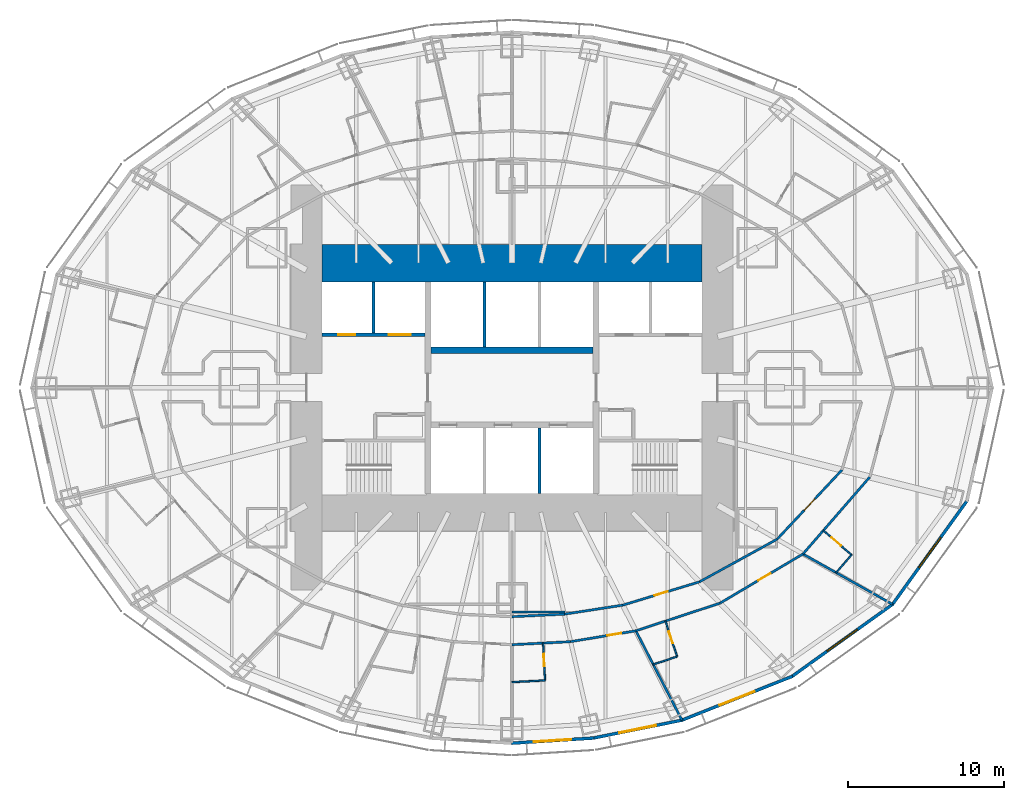
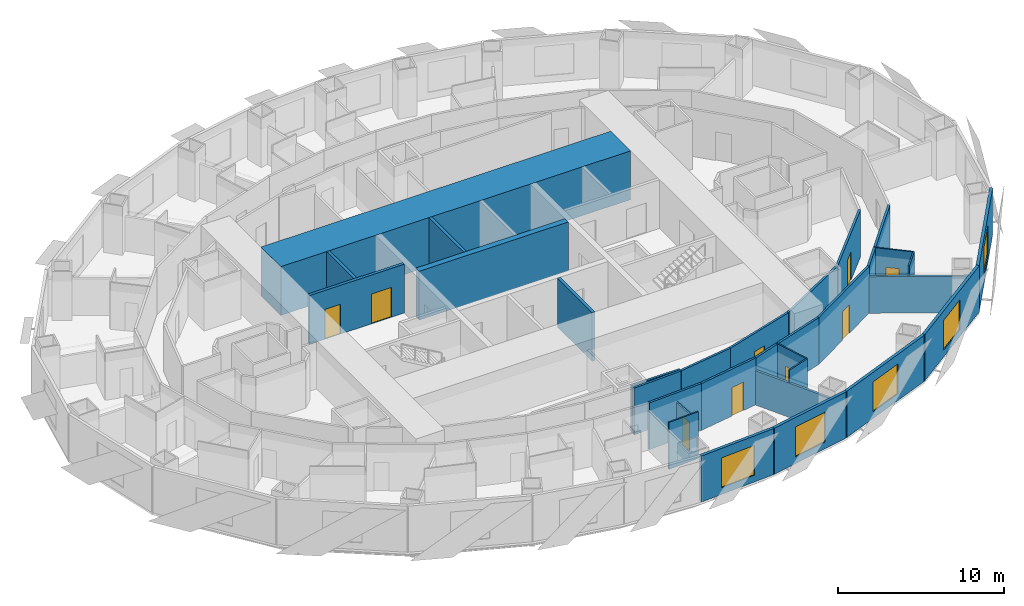
# One storey, part 7 of 15: 30 walls, 9 doors, 5 windows, 14 openings.
"""IFC4 building model written with IfcOpenShell, lengths in metres."""

from ifc_helpers import new_model, si_unit, direction, frame, frame_2d, origin, place, context, subcontext, project, spatial, rectangle, extrude, material, layer, layer_set, type_object, element, fill, save


model = new_model("IFC4")

# Units and contexts
model_context = context("Model", 3, precision=1e-05, world=origin(), true_north=direction((0.0, 1.0)))
body_context = subcontext(model_context, "Body", "Model", "MODEL_VIEW")
ifc_project = project(units=[si_unit("LENGTHUNIT", "METRE"), si_unit("AREAUNIT", "SQUARE_METRE"), si_unit("VOLUMEUNIT", "CUBIC_METRE"), si_unit("PLANEANGLEUNIT", "RADIAN"), si_unit("MASSUNIT", "GRAM", prefix="KILO")], contexts=[model_context])

# Site, building, storey
site_placement = place(None, origin())
site = spatial("IfcSite", under=ifc_project, at=site_placement, CompositionType="ELEMENT")
building_placement = place(site_placement, origin())
building = spatial("IfcBuilding", under=site, at=building_placement, Name="Lantaw Convention Tower", CompositionType="ELEMENT")
storey_placement = place(building_placement, frame((0.0, 0.0, 65.800048828125)))
storey = spatial("IfcBuildingStorey", under=building, at=storey_placement, Name="L14", CompositionType="ELEMENT", Elevation=65.800048828125)

# Wall
ifc_material_1 = material(Name="Gypsum board on steel studs", Category="steel")
ifc_layer_1 = layer(ifc_material_1, 0.14990234375)
ifc_layer_set_1 = layer_set([ifc_layer_1], Name="Back of house wall 150")
wall_type_1 = type_object("IfcWallType", Name="Back of house wall 150", PredefinedType="PARTITIONING", material=ifc_layer_set_1)
wall_1_placement = place(storey_placement, frame((0.0, -14.39990234375, 0.0), z_axis=(0.0, 0.0, 1.0), x_axis=(1.0, 0.0, 0.0)))
element("IfcWall", 1, at=wall_1_placement, inside=storey, type_object=wall_type_1, Name="Back of house wall 150", PredefinedType="PARTITIONING", context=body_context, shape_type="SweptSolid", body=[
    extrude(rectangle(XDim=3.401123046875, YDim=0.14990234375, at=frame_2d((1.70068359375, 0.0))), origin(), (0.0, 0.0, 1.0), 3.449951171875),
])

# Wall, opening, door
ifc_material_2 = material(Name="Moisture resistant gypsum board on steel studs", Category="steel")
ifc_layer_2 = layer(ifc_material_2, 0.10009765625)
ifc_layer_set_2 = layer_set([ifc_layer_2], Name="Bathroom wall 100")
wall_type_2 = type_object("IfcWallType", Name="Bathroom wall 100", PredefinedType="PARTITIONING", material=ifc_layer_set_2)
wall_2_placement = place(storey_placement, frame((1.997314453125, -16.39599609375, 0.0), z_axis=(0.0, 0.0, 1.0), x_axis=(0.051982187452, -0.998648012158, 0.0)))
wall_2 = element("IfcWall", 2, at=wall_2_placement, inside=storey, type_object=wall_type_2, Name="Bathroom wall 100", PredefinedType="PARTITIONING", context=body_context, shape_type="SweptSolid", body=[
    extrude(rectangle(XDim=2.39990234375, YDim=0.10009765625, at=frame_2d((1.199951171875, 0.0))), origin(), (0.0, 0.0, 1.0), 2.7490234375),
])
opening_1_placement = place(wall_2_placement, frame((0.699951171875, 0.0, 0.0)))
opening_1 = element("IfcOpeningElement", 3, at=opening_1_placement, cuts=wall_2, Name="Opening L14.56", PredefinedType="OPENING", context=body_context, shape_type="SweptSolid", body=[
    extrude(rectangle(XDim=0.800048828125, YDim=2.10009765625, at=frame_2d((0.39990234375, 1.050048828125))), frame((0.0, 0.06005859375, 0.0), z_axis=(0.0, -1.0, 0.0), x_axis=(1.0, 0.0, 0.0)), (0.0, 0.0, 1.0), 0.1201171875),
])
ifc_material_3 = material(Name="Timber", Category="wood")
door_type_1 = type_object("IfcDoorType", Name="Bathroom door 800", OperationType="SINGLE_SWING_LEFT", PredefinedType="DOOR", material=ifc_material_3)
door_1_placement = place(opening_1_placement, origin())
door_1 = element("IfcDoor", 4, at=door_1_placement, inside=storey, type_object=door_type_1, Name="Bathroom door", OperationType="SINGLE_SWING_LEFT", OverallHeight=2.10009765625, OverallWidth=0.800048828125, PredefinedType="DOOR", context=body_context, shape_type="SweptSolid", body=[
    extrude(rectangle(XDim=0.800048828125, YDim=2.10009765625, at=frame_2d((0.39990234375, 1.050048828125))), frame((0.0, 0.02490234375, 0.0), z_axis=(0.0, -1.0, 0.0), x_axis=(1.0, 0.0, 0.0)), (0.0, 0.0, 1.0), 0.050048828125),
])
fill(opening_1, door_1)

# Wall
wall_3_placement = place(storey_placement, frame((2.1220703125, -18.792724609375, 0.0), z_axis=(0.0, 0.0, 1.0), x_axis=(-0.998644675281, -0.052046253785, 0.0)))
element("IfcWall", 5, at=wall_3_placement, inside=storey, type_object=wall_type_2, Name="Bathroom wall 100", PredefinedType="PARTITIONING", context=body_context, shape_type="SweptSolid", body=[
    extrude(rectangle(XDim=2.125, YDim=0.10009765625, at=frame_2d((1.0625, 0.0))), origin(), (0.0, 0.0, 1.0), 3.449951171875),
])

# Wall, opening, door
wall_4_placement = place(storey_placement, frame((9.852294921875, -14.98291015625, 0.0), z_axis=(0.0, 0.0, 1.0), x_axis=(0.311890952591, -0.950117905153, 0.0)))
wall_4 = element("IfcWall", 6, at=wall_4_placement, inside=storey, type_object=wall_type_2, Name="Bathroom wall 100", PredefinedType="PARTITIONING", context=body_context, shape_type="SweptSolid", body=[
    extrude(rectangle(XDim=2.39990234375, YDim=0.10009765625, at=frame_2d((1.199951171875, 0.0))), origin(), (0.0, 0.0, 1.0), 3.449951171875),
])
opening_2_placement = place(wall_4_placement, frame((0.699951171875, 0.0, 0.0)))
opening_2 = element("IfcOpeningElement", 7, at=opening_2_placement, cuts=wall_4, Name="Opening L14.58", PredefinedType="OPENING", context=body_context, shape_type="SweptSolid", body=[
    extrude(rectangle(XDim=0.800048828125, YDim=2.10009765625, at=frame_2d((0.39990234375, 1.050048828125))), frame((0.0, 0.06005859375, 0.0), z_axis=(0.0, -1.0, 0.0), x_axis=(1.0, 0.0, 0.0)), (0.0, 0.0, 1.0), 0.1201171875),
])
door_2_placement = place(opening_2_placement, origin())
door_2 = element("IfcDoor", 8, at=door_2_placement, inside=storey, type_object=door_type_1, Name="Bathroom door", OperationType="SINGLE_SWING_LEFT", OverallHeight=2.10009765625, OverallWidth=0.800048828125, PredefinedType="DOOR", context=body_context, shape_type="SweptSolid", body=[
    extrude(rectangle(XDim=0.800048828125, YDim=2.10009765625, at=frame_2d((0.39990234375, 1.050048828125))), frame((0.0, 0.02490234375, 0.0), z_axis=(0.0, -1.0, 0.0), x_axis=(1.0, 0.0, 0.0)), (0.0, 0.0, 1.0), 0.050048828125),
])
fill(opening_2, door_2)

# Wall
wall_5_placement = place(storey_placement, frame((10.600830078125, -17.26318359375, 0.0), z_axis=(0.0, 0.0, 1.0), x_axis=(-0.950113706819, -0.311903741746, 0.0)))
element("IfcWall", 9, at=wall_5_placement, inside=storey, type_object=wall_type_2, Name="Bathroom wall 100", PredefinedType="PARTITIONING", context=body_context, shape_type="SweptSolid", body=[
    extrude(rectangle(XDim=1.62744140625, YDim=0.10009765625, at=frame_2d((0.813720703125, 0.0))), origin(), (0.0, 0.0, 1.0), 3.449951171875),
])

# Wall, opening, door
wall_6_placement = place(storey_placement, frame((19.99267578125, -9.164794921875, 0.0), z_axis=(0.0, 0.0, 1.0), x_axis=(0.755098052661, -0.655611875172, 0.0)))
wall_6 = element("IfcWall", 10, at=wall_6_placement, inside=storey, type_object=wall_type_2, Name="Bathroom wall 100", PredefinedType="PARTITIONING", context=body_context, shape_type="SweptSolid", body=[
    extrude(rectangle(XDim=2.400146484375, YDim=0.10009765625, at=frame_2d((1.2001953125, 0.0))), origin(), (0.0, 0.0, 1.0), 3.449951171875),
])
opening_3_placement = place(wall_6_placement, frame((0.699951171875, 0.0, 0.0)))
opening_3 = element("IfcOpeningElement", 11, at=opening_3_placement, cuts=wall_6, Name="Opening L14.60", PredefinedType="OPENING", context=body_context, shape_type="SweptSolid", body=[
    extrude(rectangle(XDim=0.800048828125, YDim=2.10009765625, at=frame_2d((0.39990234375, 1.050048828125))), frame((0.0, 0.06005859375, 0.0), z_axis=(0.0, -1.0, 0.0), x_axis=(1.0, 0.0, 0.0)), (0.0, 0.0, 1.0), 0.1201171875),
])
door_3_placement = place(opening_3_placement, origin())
door_3 = element("IfcDoor", 12, at=door_3_placement, inside=storey, type_object=door_type_1, Name="Bathroom door", OperationType="SINGLE_SWING_LEFT", OverallHeight=2.10009765625, OverallWidth=0.800048828125, PredefinedType="DOOR", context=body_context, shape_type="SweptSolid", body=[
    extrude(rectangle(XDim=0.800048828125, YDim=2.10009765625, at=frame_2d((0.39990234375, 1.050048828125))), frame((0.0, 0.02490234375, 0.0), z_axis=(0.0, -1.0, 0.0), x_axis=(1.0, 0.0, 0.0)), (0.0, 0.0, 1.0), 0.050048828125),
])
fill(opening_3, door_3)

# Walls
wall_7_placement = place(storey_placement, frame((21.804931640625, -10.73828125, 0.0), z_axis=(0.0, 0.0, 1.0), x_axis=(-0.655528024617, -0.755170847518, 0.0)))
element("IfcWall", 13, at=wall_7_placement, inside=storey, type_object=wall_type_2, Name="Bathroom wall 100", PredefinedType="PARTITIONING", context=body_context, shape_type="SweptSolid", body=[
    extrude(rectangle(XDim=1.52392578125, YDim=0.10009765625, at=frame_2d((0.761962890625, 0.0))), origin(), (0.0, 0.0, 1.0), 3.449951171875),
])
ifc_material_4 = material(Name="Concrete C60/75", Category="concrete")
ifc_layer_3 = layer(ifc_material_4, 2.39990234375)
ifc_layer_set_3 = layer_set([ifc_layer_3], Name="Core wall 2400")
wall_type_3 = type_object("IfcWallType", Name="Core wall 2400", PredefinedType="SHEAR", material=ifc_layer_set_3)
wall_8_placement = place(storey_placement, frame((12.199951171875, 8.0, 0.0), z_axis=(0.0, 0.0, 1.0), x_axis=(-1.0, 0.0, 0.0)))
element("IfcWall", 14, at=wall_8_placement, inside=storey, type_object=wall_type_3, Name="Core wall N", PredefinedType="SHEAR", context=body_context, shape_type="SweptSolid", body=[
    extrude(rectangle(XDim=24.39990234375, YDim=2.39990234375, at=frame_2d((12.199951171875, 0.0))), origin(), (0.0, 0.0, 1.0), 3.599853515625),
])
ifc_layer_4 = layer(ifc_material_4, 0.39990234375)
ifc_layer_set_4 = layer_set([ifc_layer_4], Name="Core wall 400")
wall_type_4 = type_object("IfcWallType", Name="Core wall 400", PredefinedType="SHEAR", material=ifc_layer_set_4)
wall_9_placement = place(storey_placement, frame((5.199951171875, 2.39990234375, 0.0), z_axis=(0.0, 0.0, 1.0), x_axis=(-1.0, 0.0, 0.0)))
element("IfcWall", 15, at=wall_9_placement, inside=storey, type_object=wall_type_4, Name="Core wall BN", PredefinedType="SHEAR", context=body_context, shape_type="SweptSolid", body=[
    extrude(rectangle(XDim=10.39990234375, YDim=0.39990234375, at=frame_2d((5.199951171875, 0.0))), origin(), (0.0, 0.0, 1.0), 3.599853515625),
])
ifc_material_5 = material(Name="Gypsum board on steel studs, fire rated", Category="steel")
ifc_layer_5 = layer(ifc_material_5, 0.14990234375)
ifc_layer_set_5 = layer_set([ifc_layer_5], Name="Corridor wall 150 EI 60")
wall_type_5 = type_object("IfcWallType", Name="Corridor wall 150 EI 60", PredefinedType="PARTITIONING", material=ifc_layer_set_5)
wall_10_placement = place(storey_placement, frame((0.0, -16.5, 0.0), z_axis=(0.0, 0.0, 1.0), x_axis=(0.998649848759, 0.05194689186, 0.0)))
element("IfcWall", 16, at=wall_10_placement, inside=storey, type_object=wall_type_5, Name="Corridor wall 150", PredefinedType="PARTITIONING", context=body_context, shape_type="SweptSolid", body=[
    extrude(rectangle(XDim=3.769287109375, YDim=0.14990234375, at=frame_2d((1.884765625, 0.0))), origin(), (0.0, 0.0, 1.0), 3.449951171875),
])

# Wall, opening, door
wall_11_placement = place(storey_placement, frame((3.76416015625, -16.30419921875, 0.0), z_axis=(0.0, 0.0, 1.0), x_axis=(0.98641101506, 0.164296407044, 0.0)))
wall_11 = element("IfcWall", 17, at=wall_11_placement, inside=storey, type_object=wall_type_5, Name="Corridor wall 150", PredefinedType="PARTITIONING", context=body_context, shape_type="SweptSolid", body=[
    extrude(rectangle(XDim=4.245361328125, YDim=0.14990234375, at=frame_2d((2.12255859375, 0.0))), origin(), (0.0, 0.0, 1.0), 3.449951171875),
])
opening_4_placement = place(wall_11_placement, frame((2.38330078125, 0.0, 0.0)))
opening_4 = element("IfcOpeningElement", 18, at=opening_4_placement, cuts=wall_11, Name="Opening L14.57", PredefinedType="OPENING", context=body_context, shape_type="SweptSolid", body=[
    extrude(rectangle(XDim=0.89990234375, YDim=2.10009765625, at=frame_2d((0.449951171875, 1.050048828125))), frame((0.0, 0.0849609375, 0.0), z_axis=(0.0, -1.0, 0.0), x_axis=(1.0, 0.0, 0.0)), (0.0, 0.0, 1.0), 0.169921875),
])
ifc_material_6 = material(Name="Steel, fire rated", Category="steel")
door_type_2 = type_object("IfcDoorType", Name="Guest room entrance door FD30S", OperationType="SINGLE_SWING_LEFT", PredefinedType="DOOR", material=ifc_material_6)
door_4_placement = place(opening_4_placement, origin())
door_4 = element("IfcDoor", 19, at=door_4_placement, inside=storey, type_object=door_type_2, Name="Junior suite entrance door", OperationType="SINGLE_SWING_LEFT", OverallHeight=2.10009765625, OverallWidth=0.89990234375, PredefinedType="DOOR", context=body_context, shape_type="SweptSolid", body=[
    extrude(rectangle(XDim=0.89990234375, YDim=2.10009765625, at=frame_2d((0.449951171875, 1.050048828125))), frame((0.0, 0.02490234375, 0.0), z_axis=(0.0, -1.0, 0.0), x_axis=(1.0, 0.0, 0.0)), (0.0, 0.0, 1.0), 0.050048828125),
])
fill(opening_4, door_4)

# Wall
wall_12_placement = place(storey_placement, frame((7.951904296875, -15.606689453125, 0.0), z_axis=(0.0, 0.0, 1.0), x_axis=(0.950106803111, 0.311924770869, 0.0)))
element("IfcWall", 20, at=wall_12_placement, inside=storey, type_object=wall_type_5, Name="Corridor wall 150", PredefinedType="PARTITIONING", context=body_context, shape_type="SweptSolid", body=[
    extrude(rectangle(XDim=5.689453125, YDim=0.14990234375, at=frame_2d((2.8447265625, 0.0))), origin(), (0.0, 0.0, 1.0), 3.449951171875),
])

# Wall, opening, door
wall_13_placement = place(storey_placement, frame((13.357421875, -13.83203125, 0.0), z_axis=(0.0, 0.0, 1.0), x_axis=(0.860147339762, 0.510045639036, 0.0)))
wall_13 = element("IfcWall", 21, at=wall_13_placement, inside=storey, type_object=wall_type_5, Name="Corridor wall 150", PredefinedType="PARTITIONING", context=body_context, shape_type="SweptSolid", body=[
    extrude(rectangle(XDim=6.189697265625, YDim=0.14990234375, at=frame_2d((3.0947265625, 0.0))), origin(), (0.0, 0.0, 1.0), 3.449951171875),
])
opening_5_placement = place(wall_13_placement, frame((2.852783203125, 0.0, 0.0)))
opening_5 = element("IfcOpeningElement", 22, at=opening_5_placement, cuts=wall_13, Name="Opening L14.59", PredefinedType="OPENING", context=body_context, shape_type="SweptSolid", body=[
    extrude(rectangle(XDim=0.89990234375, YDim=2.10009765625, at=frame_2d((0.449951171875, 1.050048828125))), frame((0.0, 0.0849609375, 0.0), z_axis=(0.0, -1.0, 0.0), x_axis=(1.0, 0.0, 0.0)), (0.0, 0.0, 1.0), 0.169921875),
])
door_5_placement = place(opening_5_placement, origin())
door_5 = element("IfcDoor", 23, at=door_5_placement, inside=storey, type_object=door_type_2, Name="Junior suite entrance door", OperationType="SINGLE_SWING_LEFT", OverallHeight=2.10009765625, OverallWidth=0.89990234375, PredefinedType="DOOR", context=body_context, shape_type="SweptSolid", body=[
    extrude(rectangle(XDim=0.89990234375, YDim=2.10009765625, at=frame_2d((0.449951171875, 1.050048828125))), frame((0.0, 0.02490234375, 0.0), z_axis=(0.0, -1.0, 0.0), x_axis=(1.0, 0.0, 0.0)), (0.0, 0.0, 1.0), 0.050048828125),
])
fill(opening_5, door_5)

# Walls
wall_14_placement = place(storey_placement, frame((18.681396484375, -10.675048828125, 0.0), z_axis=(0.0, 0.0, 1.0), x_axis=(0.655599989166, 0.755108372491, 0.0)))
element("IfcWall", 24, at=wall_14_placement, inside=storey, type_object=wall_type_5, Name="Corridor wall 150", PredefinedType="PARTITIONING", context=body_context, shape_type="SweptSolid", body=[
    extrude(rectangle(XDim=6.55078125, YDim=0.14990234375, at=frame_2d((3.275390625, 0.0))), origin(), (0.0, 0.0, 1.0), 3.449951171875),
])
wall_15_placement = place(storey_placement, frame((0.0, -14.699951171875, 0.0), z_axis=(0.0, 0.0, 1.0), x_axis=(0.998842682549, 0.048096730859, 0.0)))
element("IfcWall", 25, at=wall_15_placement, inside=storey, type_object=wall_type_5, Name="Corridor wall 150", PredefinedType="PARTITIONING", context=body_context, shape_type="SweptSolid", body=[
    extrude(rectangle(XDim=3.3603515625, YDim=0.14990234375, at=frame_2d((1.68017578125, 0.0))), origin(), (0.0, 0.0, 1.0), 3.449951171875),
])
wall_16_placement = place(storey_placement, frame((3.3564453125, -14.538330078125, 0.0), z_axis=(0.0, 0.0, 1.0), x_axis=(0.988343461108, 0.152240608529, 0.0)))
element("IfcWall", 26, at=wall_16_placement, inside=storey, type_object=wall_type_5, Name="Corridor wall 150", PredefinedType="PARTITIONING", context=body_context, shape_type="SweptSolid", body=[
    extrude(rectangle(XDim=3.800537109375, YDim=0.14990234375, at=frame_2d((1.900390625, 0.0))), origin(), (0.0, 0.0, 1.0), 3.449951171875),
])

# Wall, opening, door
wall_17_placement = place(storey_placement, frame((7.11279296875, -13.959716796875, 0.0), z_axis=(0.0, 0.0, 1.0), x_axis=(0.956795045135, 0.290763205385, 0.0)))
wall_17 = element("IfcWall", 27, at=wall_17_placement, inside=storey, type_object=wall_type_5, Name="Corridor wall 150", PredefinedType="PARTITIONING", context=body_context, shape_type="SweptSolid", body=[
    extrude(rectangle(XDim=5.1455078125, YDim=0.14990234375, at=frame_2d((2.57275390625, 0.0))), origin(), (0.0, 0.0, 1.0), 3.449951171875),
])
opening_6_placement = place(wall_17_placement, frame((2.122802734375, 0.0, 0.0)))
opening_6 = element("IfcOpeningElement", 28, at=opening_6_placement, cuts=wall_17, Name="Opening L14.24", PredefinedType="OPENING", context=body_context, shape_type="SweptSolid", body=[
    extrude(rectangle(XDim=0.89990234375, YDim=2.10009765625, at=frame_2d((0.449951171875, 1.050048828125))), frame((0.0, 0.0849609375, 0.0), z_axis=(0.0, -1.0, 0.0), x_axis=(1.0, 0.0, 0.0)), (0.0, 0.0, 1.0), 0.169921875),
])
door_type_3 = type_object("IfcDoorType", Name="Service door 900 FD30", OperationType="SINGLE_SWING_LEFT", PredefinedType="DOOR", material=ifc_material_6)
door_6_placement = place(opening_6_placement, origin())
door_6 = element("IfcDoor", 29, at=door_6_placement, inside=storey, type_object=door_type_3, Name="Guest ice and vending room door", OperationType="SINGLE_SWING_LEFT", OverallHeight=2.10009765625, OverallWidth=0.89990234375, PredefinedType="DOOR", context=body_context, shape_type="SweptSolid", body=[
    extrude(rectangle(XDim=0.89990234375, YDim=2.10009765625, at=frame_2d((0.449951171875, 1.050048828125))), frame((0.0, 0.02490234375, 0.0), z_axis=(0.0, -1.0, 0.0), x_axis=(1.0, 0.0, 0.0)), (0.0, 0.0, 1.0), 0.050048828125),
])
fill(opening_6, door_6)

# Wall
wall_18_placement = place(storey_placement, frame((12.035888671875, -12.463623046875, 0.0), z_axis=(0.0, 0.0, 1.0), x_axis=(0.876522084062, 0.481361647986, 0.0)))
element("IfcWall", 30, at=wall_18_placement, inside=storey, type_object=wall_type_5, Name="Corridor wall 150", PredefinedType="PARTITIONING", context=body_context, shape_type="SweptSolid", body=[
    extrude(rectangle(XDim=5.68701171875, YDim=0.14990234375, at=frame_2d((2.843505859375, 0.0))), origin(), (0.0, 0.0, 1.0), 3.449951171875),
])

# Wall, opening, door
wall_19_placement = place(storey_placement, frame((17.020751953125, -9.72607421875, 0.0), z_axis=(0.0, 0.0, 1.0), x_axis=(0.68365836236, 0.729802194828, 0.0)))
wall_19 = element("IfcWall", 31, at=wall_19_placement, inside=storey, type_object=wall_type_5, Name="Corridor wall 150", PredefinedType="PARTITIONING", context=body_context, shape_type="SweptSolid", body=[
    extrude(rectangle(XDim=6.08984375, YDim=0.14990234375, at=frame_2d((3.044921875, 0.0))), origin(), (0.0, 0.0, 1.0), 3.449951171875),
])
opening_7_placement = place(wall_19_placement, frame((2.544921875, 0.0, 0.0)))
opening_7 = element("IfcOpeningElement", 32, at=opening_7_placement, cuts=wall_19, Name="Opening L14.25", PredefinedType="OPENING", context=body_context, shape_type="SweptSolid", body=[
    extrude(rectangle(XDim=1.0, YDim=2.10009765625, at=frame_2d((0.5, 1.050048828125))), frame((0.0, 0.0849609375, 0.0), z_axis=(0.0, -1.0, 0.0), x_axis=(1.0, 0.0, 0.0)), (0.0, 0.0, 1.0), 0.169921875),
])
door_type_4 = type_object("IfcDoorType", Name="Service door 1000 FD30", OperationType="SINGLE_SWING_LEFT", PredefinedType="DOOR", material=ifc_material_6)
door_7_placement = place(opening_7_placement, origin())
door_7 = element("IfcDoor", 33, at=door_7_placement, inside=storey, type_object=door_type_4, Name="Room service pantry door", OperationType="SINGLE_SWING_LEFT", OverallHeight=2.10009765625, OverallWidth=1.0, PredefinedType="DOOR", context=body_context, shape_type="SweptSolid", body=[
    extrude(rectangle(XDim=1.0, YDim=2.10009765625, at=frame_2d((0.5, 1.050048828125))), frame((0.0, 0.02490234375, 0.0), z_axis=(0.0, -1.0, 0.0), x_axis=(1.0, 0.0, 0.0)), (0.0, 0.0, 1.0), 0.050048828125),
])
fill(opening_7, door_7)

# Wall, opening, window
ifc_material_7 = material(Name="Insulated aluminium panel on steel frame", Category="steel")
ifc_layer_6 = layer(ifc_material_7, 0.199951171875)
ifc_layer_set_6 = layer_set([ifc_layer_6], Name="External wall 200")
wall_type_6 = type_object("IfcWallType", Name="External wall 200", PredefinedType="SOLIDWALL", material=ifc_layer_set_6)
wall_20_placement = place(storey_placement, frame((-0.041015625, -22.8271484375, 0.0), z_axis=(0.0, 0.0, 1.0), x_axis=(0.998018582375, 0.062919863585, 0.0)))
wall_20 = element("IfcWall", 34, at=wall_20_placement, inside=storey, type_object=wall_type_6, Name="Facade panel wall", PredefinedType="SOLIDWALL", context=body_context, shape_type="SweptSolid", body=[
    extrude(rectangle(XDim=5.30419921875, YDim=0.199951171875, at=frame_2d((2.652099609375, 0.0))), origin(), (0.0, 0.0, 1.0), 3.39990234375),
])
opening_8_placement = place(wall_20_placement, frame((1.4521484375, 0.0, 0.5)))
opening_8 = element("IfcOpeningElement", 35, at=opening_8_placement, cuts=wall_20, Name="Opening W1", PredefinedType="OPENING", context=body_context, shape_type="SweptSolid", body=[
    extrude(rectangle(XDim=2.39990234375, YDim=2.199951171875, at=frame_2d((1.199951171875, 1.10009765625))), frame((0.0, 0.10986328125, 0.0), z_axis=(0.0, -1.0, 0.0), x_axis=(1.0, 0.0, 0.0)), (0.0, 0.0, 1.0), 0.219970703125),
])
ifc_material_8 = material(Name="Aluminium frame, clear insulating glass", Category="aluminium")
window_type = type_object("IfcWindowType", Name="Guest room window 2400x2200", PartitioningType="SINGLE_PANEL", PredefinedType="WINDOW", material=ifc_material_8)
window_1_placement = place(opening_8_placement, origin())
window_1 = element("IfcWindow", 36, at=window_1_placement, inside=storey, type_object=window_type, Name="Guest room window", OverallHeight=2.199951171875, OverallWidth=2.39990234375, PartitioningType="SINGLE_PANEL", PredefinedType="WINDOW", context=body_context, shape_type="SweptSolid", body=[
    extrude(rectangle(XDim=2.39990234375, YDim=2.199951171875, at=frame_2d((1.199951171875, 1.10009765625))), frame((0.0, 0.030029296875, 0.0), z_axis=(0.0, -1.0, 0.0), x_axis=(1.0, 0.0, 0.0)), (0.0, 0.0, 1.0), 0.06005859375),
])
fill(opening_8, window_1)

wall_21_placement = place(storey_placement, frame((5.169677734375, -22.504150390625, 0.0), z_axis=(0.0, 0.0, 1.0), x_axis=(0.980251657452, 0.197754110105, 0.0)))
wall_21 = element("IfcWall", 37, at=wall_21_placement, inside=storey, type_object=wall_type_6, Name="Facade panel wall", PredefinedType="SOLIDWALL", context=body_context, shape_type="SweptSolid", body=[
    extrude(rectangle(XDim=5.90380859375, YDim=0.199951171875, at=frame_2d((2.951904296875, 0.0))), origin(), (0.0, 0.0, 1.0), 3.39990234375),
])
opening_9_placement = place(wall_21_placement, frame((1.751708984375, 0.0, 0.5)))
opening_9 = element("IfcOpeningElement", 38, at=opening_9_placement, cuts=wall_21, Name="Opening W1", PredefinedType="OPENING", context=body_context, shape_type="SweptSolid", body=[
    extrude(rectangle(XDim=2.39990234375, YDim=2.199951171875, at=frame_2d((1.199951171875, 1.10009765625))), frame((0.0, 0.10986328125, 0.0), z_axis=(0.0, -1.0, 0.0), x_axis=(1.0, 0.0, 0.0)), (0.0, 0.0, 1.0), 0.219970703125),
])
window_2_placement = place(opening_9_placement, origin())
window_2 = element("IfcWindow", 39, at=window_2_placement, inside=storey, type_object=window_type, Name="Guest room window", OverallHeight=2.199951171875, OverallWidth=2.39990234375, PartitioningType="SINGLE_PANEL", PredefinedType="WINDOW", context=body_context, shape_type="SweptSolid", body=[
    extrude(rectangle(XDim=2.39990234375, YDim=2.199951171875, at=frame_2d((1.199951171875, 1.10009765625))), frame((0.0, 0.030029296875, 0.0), z_axis=(0.0, -1.0, 0.0), x_axis=(1.0, 0.0, 0.0)), (0.0, 0.0, 1.0), 0.06005859375),
])
fill(opening_9, window_2)

wall_22_placement = place(storey_placement, frame((10.869384765625, -21.362548828125, 0.0), z_axis=(0.0, 0.0, 1.0), x_axis=(0.929358351251, 0.369178892895, 0.0)))
wall_22 = element("IfcWall", 40, at=wall_22_placement, inside=storey, type_object=wall_type_6, Name="Facade panel wall", PredefinedType="SOLIDWALL", context=body_context, shape_type="SweptSolid", body=[
    extrude(rectangle(XDim=7.6923828125, YDim=0.199951171875, at=frame_2d((3.84619140625, 0.0))), origin(), (0.0, 0.0, 1.0), 3.39990234375),
])
opening_10_placement = place(wall_22_placement, frame((2.64599609375, 0.0, 0.5)))
opening_10 = element("IfcOpeningElement", 41, at=opening_10_placement, cuts=wall_22, Name="Opening W1", PredefinedType="OPENING", context=body_context, shape_type="SweptSolid", body=[
    extrude(rectangle(XDim=2.39990234375, YDim=2.199951171875, at=frame_2d((1.199951171875, 1.10009765625))), frame((0.0, 0.10986328125, 0.0), z_axis=(0.0, -1.0, 0.0), x_axis=(1.0, 0.0, 0.0)), (0.0, 0.0, 1.0), 0.219970703125),
])
window_3_placement = place(opening_10_placement, origin())
window_3 = element("IfcWindow", 42, at=window_3_placement, inside=storey, type_object=window_type, Name="Guest room window", OverallHeight=2.199951171875, OverallWidth=2.39990234375, PartitioningType="SINGLE_PANEL", PredefinedType="WINDOW", context=body_context, shape_type="SweptSolid", body=[
    extrude(rectangle(XDim=2.39990234375, YDim=2.199951171875, at=frame_2d((1.199951171875, 1.10009765625))), frame((0.0, 0.030029296875, 0.0), z_axis=(0.0, -1.0, 0.0), x_axis=(1.0, 0.0, 0.0)), (0.0, 0.0, 1.0), 0.06005859375),
])
fill(opening_10, window_3)

wall_23_placement = place(storey_placement, frame((17.9287109375, -18.57177734375, 0.0), z_axis=(0.0, 0.0, 1.0), x_axis=(0.812791321576, 0.582554948112, 0.0)))
wall_23 = element("IfcWall", 43, at=wall_23_placement, inside=storey, type_object=wall_type_6, Name="Facade panel wall", PredefinedType="SOLIDWALL", context=body_context, shape_type="SweptSolid", body=[
    extrude(rectangle(XDim=8.063232421875, YDim=0.199951171875, at=frame_2d((4.03173828125, 0.0))), origin(), (0.0, 0.0, 1.0), 3.39990234375),
])
opening_11_placement = place(wall_23_placement, frame((2.83154296875, 0.0, 0.5)))
opening_11 = element("IfcOpeningElement", 44, at=opening_11_placement, cuts=wall_23, Name="Opening W1", PredefinedType="OPENING", context=body_context, shape_type="SweptSolid", body=[
    extrude(rectangle(XDim=2.39990234375, YDim=2.199951171875, at=frame_2d((1.199951171875, 1.10009765625))), frame((0.0, 0.10986328125, 0.0), z_axis=(0.0, -1.0, 0.0), x_axis=(1.0, 0.0, 0.0)), (0.0, 0.0, 1.0), 0.219970703125),
])
window_4_placement = place(opening_11_placement, origin())
window_4 = element("IfcWindow", 45, at=window_4_placement, inside=storey, type_object=window_type, Name="Guest room window", OverallHeight=2.199951171875, OverallWidth=2.39990234375, PartitioningType="SINGLE_PANEL", PredefinedType="WINDOW", context=body_context, shape_type="SweptSolid", body=[
    extrude(rectangle(XDim=2.39990234375, YDim=2.199951171875, at=frame_2d((1.199951171875, 1.10009765625))), frame((0.0, 0.030029296875, 0.0), z_axis=(0.0, -1.0, 0.0), x_axis=(1.0, 0.0, 0.0)), (0.0, 0.0, 1.0), 0.06005859375),
])
fill(opening_11, window_4)

wall_24_placement = place(storey_placement, frame((24.400390625, -13.95654296875, 0.0), z_axis=(0.0, 0.0, 1.0), x_axis=(0.583937613703, 0.811798536155, 0.0)))
wall_24 = element("IfcWall", 46, at=wall_24_placement, inside=storey, type_object=wall_type_6, Name="Facade panel wall", PredefinedType="SOLIDWALL", context=body_context, shape_type="SweptSolid", body=[
    extrude(rectangle(XDim=8.322998046875, YDim=0.199951171875, at=frame_2d((4.16162109375, 0.0))), origin(), (0.0, 0.0, 1.0), 3.39990234375),
])
opening_12_placement = place(wall_24_placement, frame((2.96142578125, 0.0, 0.5)))
opening_12 = element("IfcOpeningElement", 47, at=opening_12_placement, cuts=wall_24, Name="Opening W1", PredefinedType="OPENING", context=body_context, shape_type="SweptSolid", body=[
    extrude(rectangle(XDim=2.39990234375, YDim=2.199951171875, at=frame_2d((1.199951171875, 1.10009765625))), frame((0.0, 0.10986328125, 0.0), z_axis=(0.0, -1.0, 0.0), x_axis=(1.0, 0.0, 0.0)), (0.0, 0.0, 1.0), 0.219970703125),
])
window_5_placement = place(opening_12_placement, origin())
window_5 = element("IfcWindow", 48, at=window_5_placement, inside=storey, type_object=window_type, Name="Guest room window", OverallHeight=2.199951171875, OverallWidth=2.39990234375, PartitioningType="SINGLE_PANEL", PredefinedType="WINDOW", context=body_context, shape_type="SweptSolid", body=[
    extrude(rectangle(XDim=2.39990234375, YDim=2.199951171875, at=frame_2d((1.199951171875, 1.10009765625))), frame((0.0, 0.030029296875, 0.0), z_axis=(0.0, -1.0, 0.0), x_axis=(1.0, 0.0, 0.0)), (0.0, 0.0, 1.0), 0.06005859375),
])
fill(opening_12, window_5)

# Walls
ifc_material_9 = material(Name="Gypsum board on steel studs, acoustic", Category="steel")
ifc_layer_7 = layer(ifc_material_9, 0.14990234375)
ifc_layer_set_7 = layer_set([ifc_layer_7], Name="Guest room party wall 150")
wall_type_7 = type_object("IfcWallType", Name="Guest room party wall 150", PredefinedType="PARTITIONING", material=ifc_layer_set_7)
wall_25_placement = place(storey_placement, frame((10.911865234375, -21.345703125, 0.0), z_axis=(0.0, 0.0, 1.0), x_axis=(-0.458384799126, 0.888753833145, 0.0)))
element("IfcWall", 49, at=wall_25_placement, inside=storey, type_object=wall_type_7, Name="Guest room party wall 150", PredefinedType="PARTITIONING", context=body_context, shape_type="SweptSolid", body=[
    extrude(rectangle(XDim=6.457275390625, YDim=0.14990234375, at=frame_2d((3.228515625, 0.0))), origin(), (0.0, 0.0, 1.0), 2.52783203125),
])
wall_26_placement = place(storey_placement, frame((24.434814453125, -13.90869140625, 0.0), z_axis=(0.0, 0.0, 1.0), x_axis=(-0.871747379892, 0.489955616001, 0.0)))
element("IfcWall", 50, at=wall_26_placement, inside=storey, type_object=wall_type_7, Name="Guest room party wall 150", PredefinedType="PARTITIONING", context=body_context, shape_type="SweptSolid", body=[
    extrude(rectangle(XDim=6.599853515625, YDim=0.14990234375, at=frame_2d((3.2998046875, 0.0))), origin(), (0.0, 0.0, 1.0), 2.693115234375),
])
ifc_material_10 = material(Name="Concrete blockwork, fire rated", Category="masonry")
ifc_layer_8 = layer(ifc_material_10, 0.199951171875)
ifc_layer_set_8 = layer_set([ifc_layer_8], Name="Shaft wall 200")
wall_type_8 = type_object("IfcWallType", Name="Shaft wall 200", PredefinedType="SOLIDWALL", material=ifc_layer_set_8)
wall_27_placement = place(storey_placement, frame((-1.7666015625, 2.60009765625, 0.0), z_axis=(0.0, 0.0, 1.0), x_axis=(0.0, 1.0, 0.0)))
element("IfcWall", 51, at=wall_27_placement, inside=storey, type_object=wall_type_8, Name="Shaft wall DN1", PredefinedType="SOLIDWALL", context=body_context, shape_type="SweptSolid", body=[
    extrude(rectangle(XDim=4.199951171875, YDim=0.199951171875, at=frame_2d((2.10009765625, 0.0))), origin(), (0.0, 0.0, 1.0), 3.599853515625),
])

# Wall, openings, doors
wall_28_placement = place(storey_placement, frame((-12.199951171875, 3.39990234375, 0.0), z_axis=(0.0, 0.0, 1.0), x_axis=(1.0, 0.0, 0.0)))
wall_28 = element("IfcWall", 52, at=wall_28_placement, inside=storey, type_object=wall_type_8, Name="Shaft wall WN", PredefinedType="SOLIDWALL", context=body_context, shape_type="SweptSolid", body=[
    extrude(rectangle(XDim=6.599853515625, YDim=0.199951171875, at=frame_2d((3.2998046875, 0.0))), origin(), (0.0, 0.0, 1.0), 3.599853515625),
])
opening_13_placement = place(wall_28_placement, frame((1.050048828125, 0.0, 0.0)))
opening_13 = element("IfcOpeningElement", 53, at=opening_13_placement, cuts=wall_28, Name="Opening L14.12", PredefinedType="OPENING", context=body_context, shape_type="SweptSolid", body=[
    extrude(rectangle(XDim=1.10009765625, YDim=2.199951171875, at=frame_2d((0.550048828125, 1.10009765625))), frame((0.0, 0.10986328125, 0.0), z_axis=(0.0, -1.0, 0.0), x_axis=(1.0, 0.0, 0.0)), (0.0, 0.0, 1.0), 0.219970703125),
])
opening_14_placement = place(wall_28_placement, frame((4.300048828125, 0.0, 0.0)))
opening_14 = element("IfcOpeningElement", 54, at=opening_14_placement, cuts=wall_28, Name="Opening L14.13", PredefinedType="OPENING", context=body_context, shape_type="SweptSolid", body=[
    extrude(rectangle(XDim=1.39990234375, YDim=2.199951171875, at=frame_2d((0.699951171875, 1.10009765625))), frame((0.0, 0.10986328125, 0.0), z_axis=(0.0, -1.0, 0.0), x_axis=(1.0, 0.0, 0.0)), (0.0, 0.0, 1.0), 0.219970703125),
])
ifc_material_11 = material(Name="Stainless steel", Category="steel")
door_type_5 = type_object("IfcDoorType", Name="Lift landing door 1100", OperationType="DOUBLE_DOOR_SLIDING", PredefinedType="DOOR", material=ifc_material_11)
door_8_placement = place(opening_13_placement, origin())
door_8 = element("IfcDoor", 55, at=door_8_placement, inside=storey, type_object=door_type_5, Name="Lift landing door FF1", OperationType="DOUBLE_DOOR_SLIDING", OverallHeight=2.199951171875, OverallWidth=1.10009765625, PredefinedType="DOOR", context=body_context, shape_type="SweptSolid", body=[
    extrude(rectangle(XDim=1.10009765625, YDim=2.199951171875, at=frame_2d((0.550048828125, 1.10009765625))), frame((0.0, 0.02490234375, 0.0), z_axis=(0.0, -1.0, 0.0), x_axis=(1.0, 0.0, 0.0)), (0.0, 0.0, 1.0), 0.050048828125),
])
fill(opening_13, door_8)
door_type_6 = type_object("IfcDoorType", Name="Lift landing door 1400", OperationType="DOUBLE_DOOR_SLIDING", PredefinedType="DOOR", material=ifc_material_11)
door_9_placement = place(opening_14_placement, origin())
door_9 = element("IfcDoor", 56, at=door_9_placement, inside=storey, type_object=door_type_6, Name="Lift landing door SV1", OperationType="DOUBLE_DOOR_SLIDING", OverallHeight=2.199951171875, OverallWidth=1.39990234375, PredefinedType="DOOR", context=body_context, shape_type="SweptSolid", body=[
    extrude(rectangle(XDim=1.39990234375, YDim=2.199951171875, at=frame_2d((0.699951171875, 1.10009765625))), frame((0.0, 0.02490234375, 0.0), z_axis=(0.0, -1.0, 0.0), x_axis=(1.0, 0.0, 0.0)), (0.0, 0.0, 1.0), 0.050048828125),
])
fill(opening_14, door_9)

# Walls
wall_29_placement = place(storey_placement, frame((-8.89990234375, 3.5, 0.0), z_axis=(0.0, 0.0, 1.0), x_axis=(0.0, 1.0, 0.0)))
element("IfcWall", 57, at=wall_29_placement, inside=storey, type_object=wall_type_8, Name="Shaft wall WD", PredefinedType="SOLIDWALL", context=body_context, shape_type="SweptSolid", body=[
    extrude(rectangle(XDim=3.300048828125, YDim=0.199951171875, at=frame_2d((1.64990234375, 0.0))), origin(), (0.0, 0.0, 1.0), 3.599853515625),
])
ifc_layer_9 = layer(ifc_material_10, 0.199951171875)
ifc_layer_set_9 = layer_set([ifc_layer_9], Name="Shaft wall 200 load-bearing")
wall_type_9 = type_object("IfcWallType", Name="Shaft wall 200 load-bearing", PredefinedType="SOLIDWALL", material=ifc_layer_set_9)
wall_30_placement = place(storey_placement, frame((1.7666015625, -2.60009765625, 0.0), z_axis=(0.0, 0.0, 1.0), x_axis=(0.0, -1.0, 0.0)))
element("IfcWall", 58, at=wall_30_placement, inside=storey, type_object=wall_type_9, Name="Shaft wall DS2", PredefinedType="SOLIDWALL", context=body_context, shape_type="SweptSolid", body=[
    extrude(rectangle(XDim=4.199951171875, YDim=0.199951171875, at=frame_2d((2.10009765625, 0.0))), origin(), (0.0, 0.0, 1.0), 3.599853515625),
])

save(model, "model.ifc")
